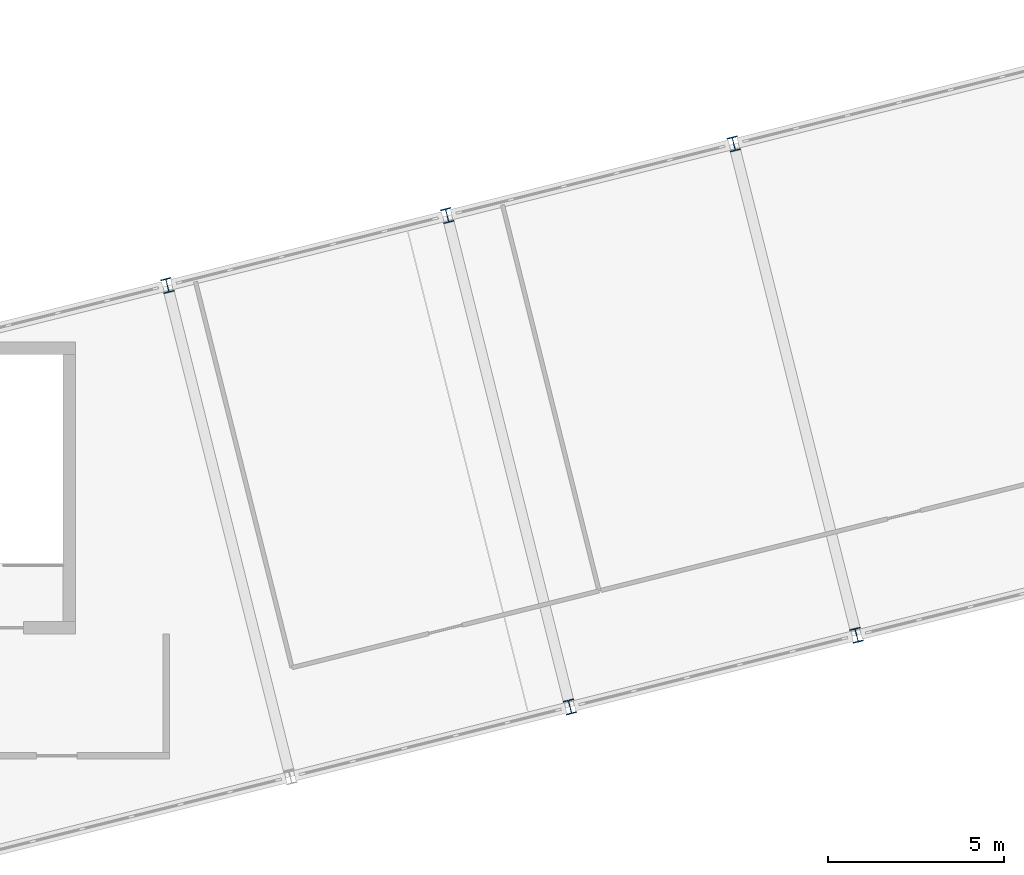
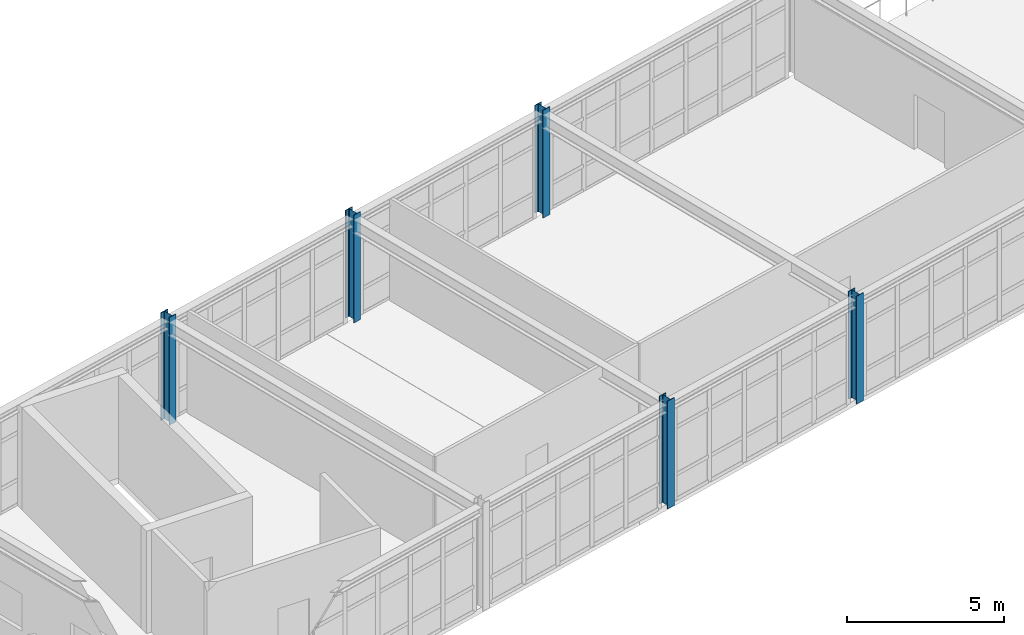
# One storey, part 2 of 64: 5 columns.
"""IFC4 building model written with IfcOpenShell, lengths in metres."""

from ifc_helpers import new_model, si_unit, direction, frame, origin, origin_2d, place, context, subcontext, project, spatial, i_section, extrude, material, material_profile, profile_set, type_object, element, save


model = new_model("IFC4")

# Units and contexts
model_context = context("Model", 3, precision=1e-05, world=origin(), true_north=direction((0.0, 1.0)))
body_context = subcontext(model_context, "Body", "Model", "MODEL_VIEW")
ifc_project = project(units=[si_unit("LENGTHUNIT", "METRE"), si_unit("AREAUNIT", "SQUARE_METRE"), si_unit("VOLUMEUNIT", "CUBIC_METRE"), si_unit("PLANEANGLEUNIT", "RADIAN"), si_unit("MASSUNIT", "GRAM", prefix="KILO")], contexts=[model_context])

# Site, building, storey
site_placement = place(None, origin())
site = spatial("IfcSite", under=ifc_project, at=site_placement, CompositionType="ELEMENT")
building_placement = place(site_placement, origin())
building = spatial("IfcBuilding", under=site, at=building_placement, Name="Nordkorset Police Headquarters", CompositionType="ELEMENT")
storey_placement = place(building_placement, frame((0.0, 0.0, 17.85009765625)))
storey = spatial("IfcBuildingStorey", under=building, at=storey_placement, Name="L04", CompositionType="ELEMENT", Elevation=17.85009765625)

# Columns
ifc_material = material(Name="Steel S355J2", Category="steel")
ifc_material_profile = material_profile(ifc_material, i_section(OverallWidth=0.300048828125, OverallDepth=0.39990234375, WebThickness=0.013427734375, FlangeThickness=0.02392578125, FilletRadius=0.027099609375, at=origin_2d()), Name="HEB 400")
ifc_profile_set = profile_set([ifc_material_profile], Name="Steel S355J2")
column_type = type_object("IfcColumnType", Name="Col_HEB_400", PredefinedType="COLUMN", material=ifc_profile_set)
for number, where, z_axis, x_axis, name in (
    (1, (31.943115234375, 58.928955078125, 0.0), (0.0, 0.0, 1.0), (0.970142500145, 0.242535625038, 0.0), "Structural Column V4_U1_V1 L04"),
    (2, (43.390869140625, 46.94775390625, 0.0), (0.0, 0.0, 1.0), (0.970142500145, 0.242535625038, 0.0), "Structural Column V4_U2_V0 L04"),
    (3, (39.8984375, 60.917724609375, 0.0), (0.0, 0.0, 1.0), (0.970142500145, 0.242535625038, 0.0), "Structural Column V4_U2_V1 L04"),
    (4, (51.5400390625, 48.985107421875, 0.0), (0.0, 0.0, 1.0), (0.970142500145, 0.242535625038, 0.0), "Structural Column V4_U3_V0 L04"),
    (5, (48.047607421875, 62.955078125, 0.0), (0.0, 0.0, 1.0), (0.970142500145, 0.242535625038, 0.0), "Structural Column V4_U3_V1 L04"),
):
    element("IfcColumn", number, at=place(storey_placement, frame(where, z_axis=z_axis, x_axis=x_axis)), inside=storey, type_object=column_type, Name=name, PredefinedType="COLUMN", context=body_context, shape_type="SweptSolid", body=[
        extrude(i_section(OverallWidth=0.300048828125, OverallDepth=0.39990234375, WebThickness=0.013427734375, FlangeThickness=0.02392578125, FilletRadius=0.027099609375, at=origin_2d()), origin(), (0.0, 0.0, 1.0), 4.199951171875),
    ])

save(model, "model.ifc")
